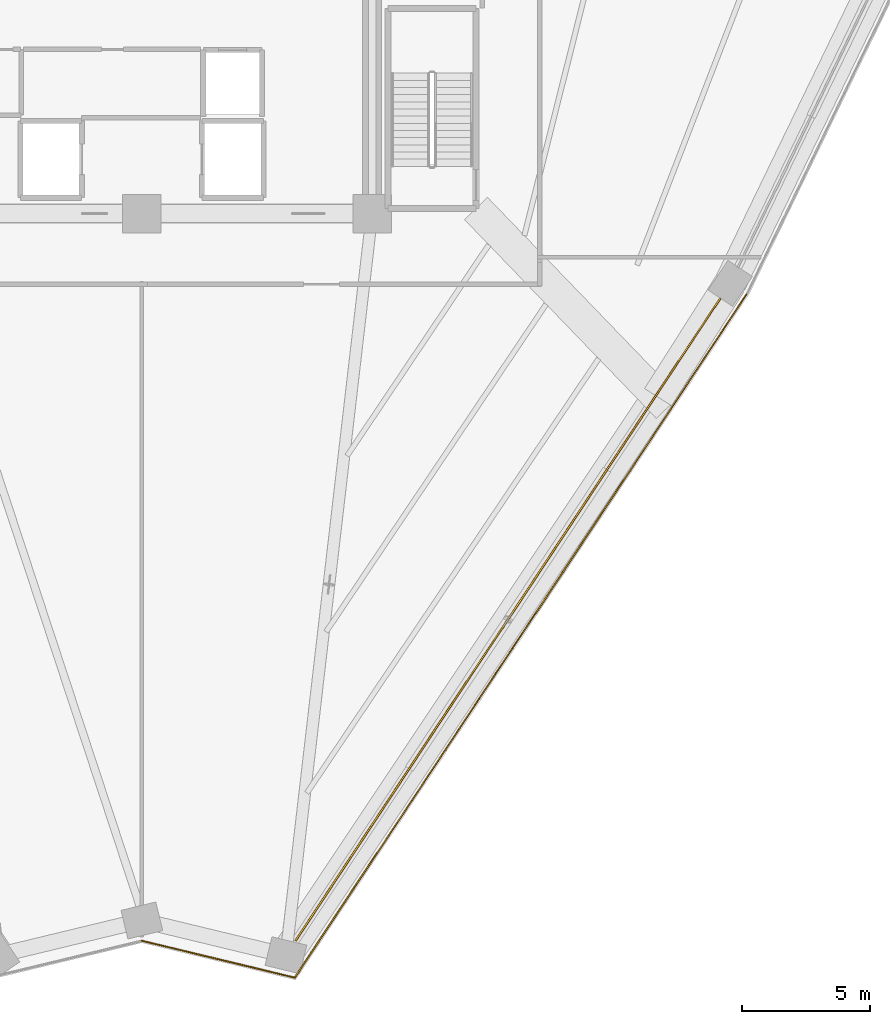
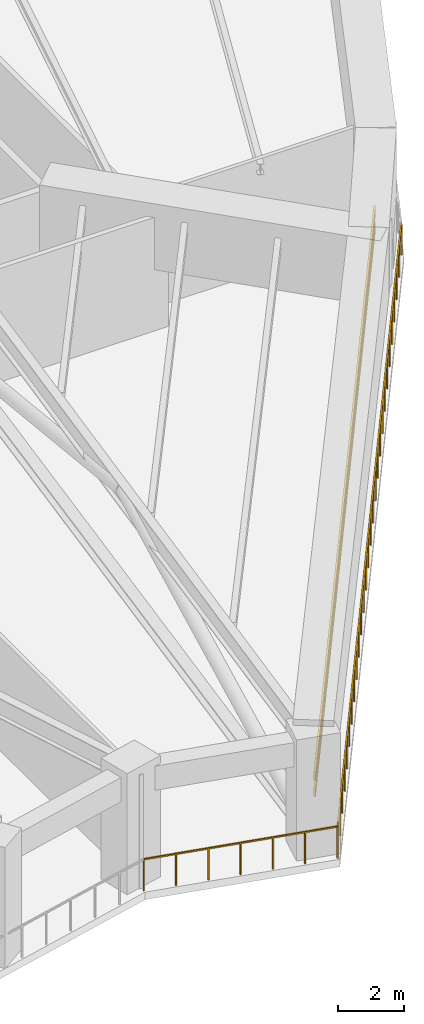
# One storey, part 21 of 27: 2 railings, 2 shading devices.
"""IFC4 building model written with IfcOpenShell, lengths in metres."""

from ifc_helpers import new_model, si_unit, direction, frame, origin, origin_2d, place, context, subcontext, project, spatial, rectangle, extrude, source, transform, mapped, material, material_profile, profile_set, type_object, element, save


model = new_model("IFC4")

# Units and contexts
model_context = context("Model", 3, precision=1e-05, world=origin(), true_north=direction((0.0, 1.0)))
body_context = subcontext(model_context, "Body", "Model", "MODEL_VIEW")
ifc_project = project(units=[si_unit("LENGTHUNIT", "METRE"), si_unit("AREAUNIT", "SQUARE_METRE"), si_unit("VOLUMEUNIT", "CUBIC_METRE"), si_unit("PLANEANGLEUNIT", "RADIAN"), si_unit("MASSUNIT", "GRAM", prefix="KILO")], contexts=[model_context])

# Site, building, storey
site_placement = place(None, origin())
site = spatial("IfcSite", under=ifc_project, at=site_placement, CompositionType="ELEMENT")
building_placement = place(site_placement, origin())
building = spatial("IfcBuilding", under=site, at=building_placement, Name="Liaohun Quay Tower", CompositionType="ELEMENT")
storey_placement = place(building_placement, frame((0.0, 0.0, 185.25)))
storey = spatial("IfcBuildingStorey", under=building, at=storey_placement, Name="L48", CompositionType="ELEMENT", Elevation=185.25)

# Railings
ifc_material_1 = material(Name="Galvanised and powder-coated steel", Category="steel")
railing_type = type_object("IfcRailingType", Name="RLG-GUARD-EXT", PredefinedType="GUARDRAIL", material=ifc_material_1)
railing_1_placement = place(storey_placement, frame((83.672119140625, 43.39208984375, 0.0)))
element("IfcRailing", 1, at=railing_1_placement, inside=storey, type_object=railing_type, Name="L48 Open Refuge Band Perimeter Guardrail 10", PredefinedType="GUARDRAIL", context=body_context, shape_type="SweptSolid", body=[
    extrude(rectangle(XDim=0.048095703125, YDim=0.048095703125, at=origin_2d()), frame((0.0, 0.0, 1.17578125), z_axis=(-0.551596900025, -0.834110819905, 0.0), x_axis=(0.834110819905, -0.551596900025, 0.0)), (0.0, 0.0, 1.0), 32.083251953125),
    extrude(rectangle(XDim=0.0419921875, YDim=0.0419921875, at=origin_2d()), origin(), (0.0, 0.0, 1.0), 1.15185546875),
    extrude(rectangle(XDim=0.0419921875, YDim=0.0419921875, at=origin_2d()), frame((-0.655517578125, -0.9912109375, 0.0)), (0.0, 0.0, 1.0), 1.15185546875),
    extrude(rectangle(XDim=0.0419921875, YDim=0.0419921875, at=origin_2d()), frame((-1.310791015625, -1.982177734375, 0.0)), (0.0, 0.0, 1.0), 1.15185546875),
    extrude(rectangle(XDim=0.0419921875, YDim=0.0419921875, at=origin_2d()), frame((-1.96630859375, -2.973388671875, 0.0)), (0.0, 0.0, 1.0), 1.15185546875),
    extrude(rectangle(XDim=0.0419921875, YDim=0.0419921875, at=origin_2d()), frame((-2.621826171875, -3.964599609375, 0.0)), (0.0, 0.0, 1.0), 1.15185546875),
    extrude(rectangle(XDim=0.0419921875, YDim=0.0419921875, at=origin_2d()), frame((-3.27734375, -4.955810546875, 0.0)), (0.0, 0.0, 1.0), 1.15185546875),
    extrude(rectangle(XDim=0.0419921875, YDim=0.0419921875, at=origin_2d()), frame((-3.9326171875, -5.94677734375, 0.0)), (0.0, 0.0, 1.0), 1.15185546875),
    extrude(rectangle(XDim=0.0419921875, YDim=0.0419921875, at=origin_2d()), frame((-4.588134765625, -6.93798828125, 0.0)), (0.0, 0.0, 1.0), 1.15185546875),
    extrude(rectangle(XDim=0.0419921875, YDim=0.0419921875, at=origin_2d()), frame((-5.24365234375, -7.92919921875, 0.0)), (0.0, 0.0, 1.0), 1.15185546875),
    extrude(rectangle(XDim=0.0419921875, YDim=0.0419921875, at=origin_2d()), frame((-5.89892578125, -8.92041015625, 0.0)), (0.0, 0.0, 1.0), 1.15185546875),
    extrude(rectangle(XDim=0.0419921875, YDim=0.0419921875, at=origin_2d()), frame((-6.554443359375, -9.911376953125, 0.0)), (0.0, 0.0, 1.0), 1.15185546875),
    extrude(rectangle(XDim=0.0419921875, YDim=0.0419921875, at=origin_2d()), frame((-7.2099609375, -10.902587890625, 0.0)), (0.0, 0.0, 1.0), 1.15185546875),
    extrude(rectangle(XDim=0.0419921875, YDim=0.0419921875, at=origin_2d()), frame((-7.865234375, -11.893798828125, 0.0)), (0.0, 0.0, 1.0), 1.15185546875),
    extrude(rectangle(XDim=0.0419921875, YDim=0.0419921875, at=origin_2d()), frame((-8.520751953125, -12.885009765625, 0.0)), (0.0, 0.0, 1.0), 1.15185546875),
    extrude(rectangle(XDim=0.0419921875, YDim=0.0419921875, at=origin_2d()), frame((-9.17626953125, -13.8759765625, 0.0)), (0.0, 0.0, 1.0), 1.15185546875),
    extrude(rectangle(XDim=0.0419921875, YDim=0.0419921875, at=origin_2d()), frame((-9.831787109375, -14.8671875, 0.0)), (0.0, 0.0, 1.0), 1.15185546875),
    extrude(rectangle(XDim=0.0419921875, YDim=0.0419921875, at=origin_2d()), frame((-10.487060546875, -15.8583984375, 0.0)), (0.0, 0.0, 1.0), 1.15185546875),
    extrude(rectangle(XDim=0.0419921875, YDim=0.0419921875, at=origin_2d()), frame((-11.142578125, -16.849609375, 0.0)), (0.0, 0.0, 1.0), 1.15185546875),
    extrude(rectangle(XDim=0.0419921875, YDim=0.0419921875, at=origin_2d()), frame((-11.798095703125, -17.840576171875, 0.0)), (0.0, 0.0, 1.0), 1.15185546875),
    extrude(rectangle(XDim=0.0419921875, YDim=0.0419921875, at=origin_2d()), frame((-12.453369140625, -18.831787109375, 0.0)), (0.0, 0.0, 1.0), 1.15185546875),
    extrude(rectangle(XDim=0.0419921875, YDim=0.0419921875, at=origin_2d()), frame((-13.10888671875, -19.822998046875, 0.0)), (0.0, 0.0, 1.0), 1.15185546875),
    extrude(rectangle(XDim=0.0419921875, YDim=0.0419921875, at=origin_2d()), frame((-13.764404296875, -20.814208984375, 0.0)), (0.0, 0.0, 1.0), 1.15185546875),
    extrude(rectangle(XDim=0.0419921875, YDim=0.0419921875, at=origin_2d()), frame((-14.419677734375, -21.80517578125, 0.0)), (0.0, 0.0, 1.0), 1.15185546875),
    extrude(rectangle(XDim=0.0419921875, YDim=0.0419921875, at=origin_2d()), frame((-15.0751953125, -22.79638671875, 0.0)), (0.0, 0.0, 1.0), 1.15185546875),
    extrude(rectangle(XDim=0.0419921875, YDim=0.0419921875, at=origin_2d()), frame((-15.730712890625, -23.78759765625, 0.0)), (0.0, 0.0, 1.0), 1.15185546875),
    extrude(rectangle(XDim=0.0419921875, YDim=0.0419921875, at=origin_2d()), frame((-16.38623046875, -24.77880859375, 0.0)), (0.0, 0.0, 1.0), 1.15185546875),
    extrude(rectangle(XDim=0.0419921875, YDim=0.0419921875, at=origin_2d()), frame((-17.04150390625, -25.769775390625, 0.0)), (0.0, 0.0, 1.0), 1.15185546875),
    extrude(rectangle(XDim=0.0419921875, YDim=0.0419921875, at=origin_2d()), frame((-17.697021484375, -26.760986328125, 0.0)), (0.0, 0.0, 1.0), 1.15185546875),
])
railing_2_placement = place(storey_placement, frame((65.97509765625, 16.631103515625, 0.0)))
element("IfcRailing", 2, at=railing_2_placement, inside=storey, type_object=railing_type, Name="L48 Open Refuge Band Perimeter Guardrail 11", PredefinedType="GUARDRAIL", context=body_context, shape_type="SweptSolid", body=[
    extrude(rectangle(XDim=0.048095703125, YDim=0.048095703125, at=origin_2d()), frame((0.0, 0.0, 1.17578125), z_axis=(-0.972059712084, 0.234733713264, 0.0), x_axis=(-0.234733713264, -0.972059712084, 0.0)), (0.0, 0.0, 1.0), 6.146728515625),
    extrude(rectangle(XDim=0.0419921875, YDim=0.0419921875, at=origin_2d()), origin(), (0.0, 0.0, 1.0), 1.15185546875),
    extrude(rectangle(XDim=0.0419921875, YDim=0.0419921875, at=origin_2d()), frame((-0.995849609375, 0.240478515625, 0.0)), (0.0, 0.0, 1.0), 1.15185546875),
    extrude(rectangle(XDim=0.0419921875, YDim=0.0419921875, at=origin_2d()), frame((-1.99169921875, 0.48095703125, 0.0)), (0.0, 0.0, 1.0), 1.15185546875),
    extrude(rectangle(XDim=0.0419921875, YDim=0.0419921875, at=origin_2d()), frame((-2.987548828125, 0.721435546875, 0.0)), (0.0, 0.0, 1.0), 1.15185546875),
    extrude(rectangle(XDim=0.0419921875, YDim=0.0419921875, at=origin_2d()), frame((-3.9833984375, 0.9619140625, 0.0)), (0.0, 0.0, 1.0), 1.15185546875),
    extrude(rectangle(XDim=0.0419921875, YDim=0.0419921875, at=origin_2d()), frame((-4.979248046875, 1.202392578125, 0.0)), (0.0, 0.0, 1.0), 1.15185546875),
    extrude(rectangle(XDim=0.0419921875, YDim=0.0419921875, at=origin_2d()), frame((-5.97509765625, 1.44287109375, 0.0)), (0.0, 0.0, 1.0), 1.15185546875),
])

# Shading devices
ifc_material_2 = material(Name="Fluorocarbon-coated aluminium", Category="aluminium")
ifc_material_profile = material_profile(ifc_material_2, rectangle(XDim=0.06494140625, YDim=0.320068359375, at=origin_2d()), Name="ALU-LVR-320x65")
ifc_profile_set = profile_set([ifc_material_profile], Name="Fluorocarbon-coated aluminium")
shading_device_type = type_object("IfcShadingDeviceType", Name="SHD-LVR-REF", PredefinedType="USERDEFINED", material=ifc_profile_set)
shared_shape = source(origin(), body_context, "Body", "SweptSolid", [
    extrude(rectangle(XDim=0.06494140625, YDim=0.320068359375, at=origin_2d()), origin(), (0.0, 0.0, 1.0), 30.111083984375),
])
for number, where, z_axis, x_axis, name in (
    (3, (82.62109375, 43.197998046875, 1.550048828125), (-0.551595967402, -0.834111436647, 0.0), (0.834111436647, -0.551595967402, 0.0), "L48 Refuge Plant Acoustic Louvre Blade LV-1-07"),
    (4, (82.62109375, 43.197998046875, 2.14990234375), (-0.551595967402, -0.834111436647, 0.0), (0.834111436647, -0.551595967402, 0.0), "L48 Refuge Plant Acoustic Louvre Blade LV-1-08"),
):
    element("IfcShadingDevice", number, at=place(storey_placement, frame(where, z_axis=z_axis, x_axis=x_axis)), inside=storey, type_object=shading_device_type, Name=name, ObjectType="LOUVRE", PredefinedType="USERDEFINED", context=body_context, shape_type="MappedRepresentation", body=[
        mapped(shared_shape, transform((0.0, 0.0, 0.0), x_axis=(1.0, 0.0, 0.0), y_axis=(0.0, 1.0, 0.0), z_axis=(0.0, 0.0, 1.0), scale=1.0)),
    ])

save(model, "model.ifc")
